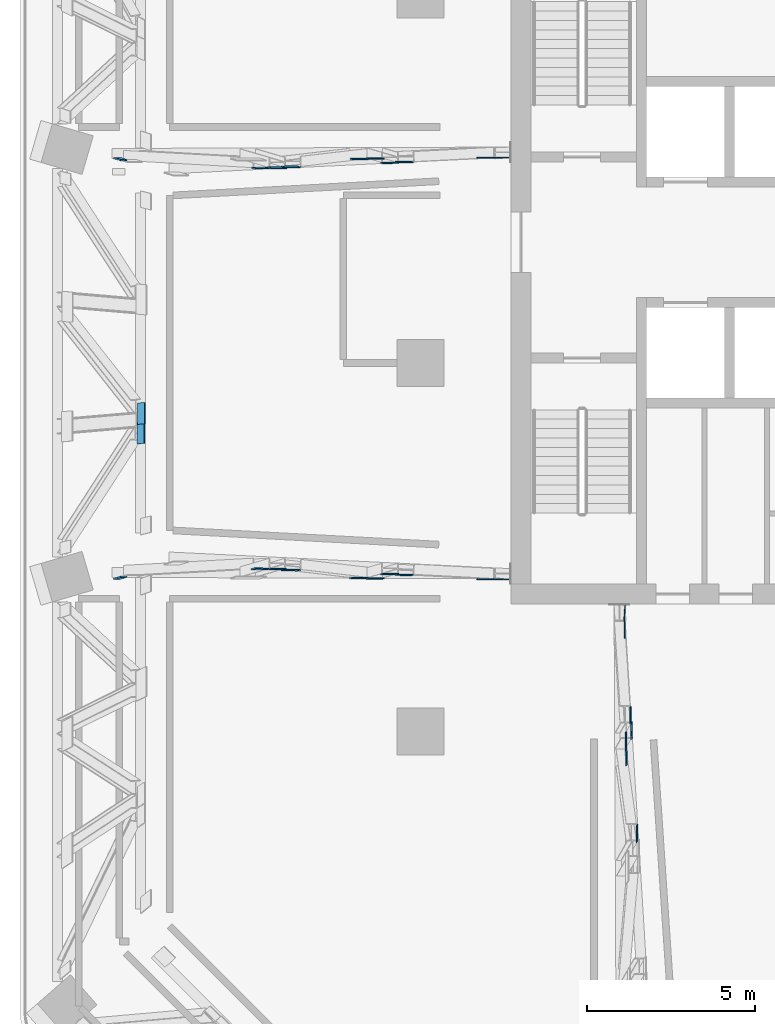
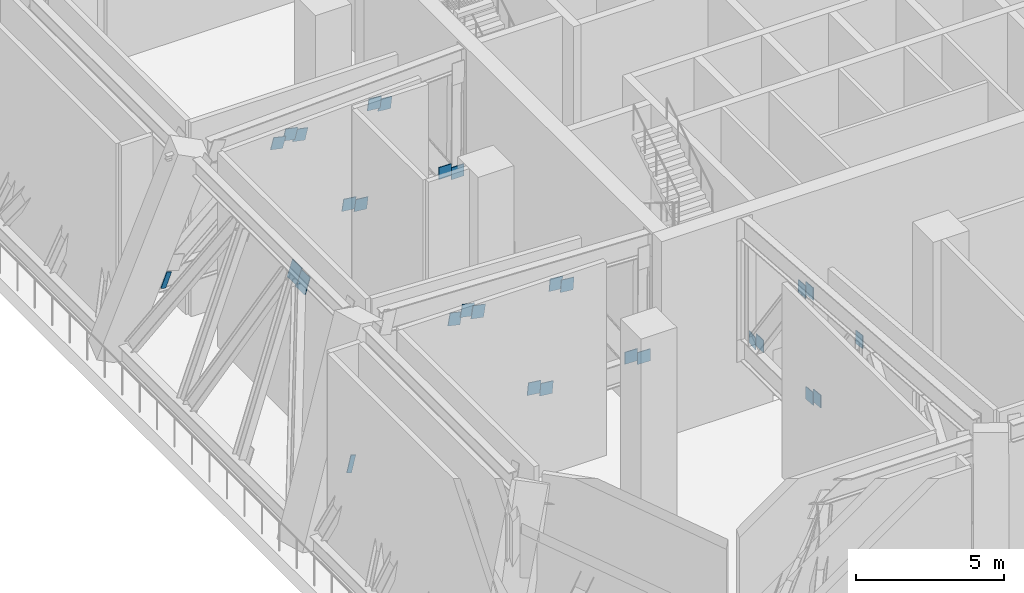
# One storey, part 14 of 24: 29 discrete accessories.
"""IFC4 building model written with IfcOpenShell, lengths in metres."""

from ifc_helpers import new_model, si_unit, direction, frame, origin, origin_2d, place, context, subcontext, project, spatial, rectangle, extrude, material, layer, layer_set, type_object, element, save


model = new_model("IFC4")

# Units and contexts
model_context = context("Model", 3, precision=1e-05, world=origin(), true_north=direction((0.0, 1.0)))
body_context = subcontext(model_context, "Body", "Model", "MODEL_VIEW")
ifc_project = project(units=[si_unit("LENGTHUNIT", "METRE"), si_unit("AREAUNIT", "SQUARE_METRE"), si_unit("VOLUMEUNIT", "CUBIC_METRE"), si_unit("PLANEANGLEUNIT", "RADIAN"), si_unit("MASSUNIT", "GRAM", prefix="KILO")], contexts=[model_context])

# Site, building, storey
site_placement = place(None, origin())
site = spatial("IfcSite", under=ifc_project, at=site_placement, CompositionType="ELEMENT")
building_placement = place(site_placement, origin())
building = spatial("IfcBuilding", under=site, at=building_placement, Name="Mopane Tessera Tower", CompositionType="ELEMENT")
storey_placement = place(building_placement, frame((0.0, 0.0, 148.60009765625)))
storey = spatial("IfcBuildingStorey", under=building, at=storey_placement, Name="L30", CompositionType="ELEMENT", Elevation=148.60009765625)

# Discrete accessories
ifc_material = material(Name="Structural steel S460", Category="steel")
ifc_layer = layer(ifc_material, 0.030029296875)
ifc_layer_set = layer_set([ifc_layer], Name="Structural steel S460")
discrete_accessory_type = type_object("IfcDiscreteAccessoryType", Name="Truss node plate 30 mm", PredefinedType="BRACKET", material=ifc_layer_set)
discrete_accessory_1_placement = place(storey_placement, frame((-14.665283203125, 6.124267578125, 2.762451171875), z_axis=(0.006906580578, -0.001973308737, 0.999974202266), x_axis=(0.009648579504, -0.99995137067, -0.002039904093)))
element("IfcDiscreteAccessory", 1, at=discrete_accessory_1_placement, inside=storey, type_object=discrete_accessory_type, Name="Truss node plate s ot L30 W1 0", PredefinedType="BRACKET", context=body_context, shape_type="SweptSolid", body=[
    extrude(rectangle(XDim=0.030029296875, YDim=0.489990234375, at=origin_2d()), origin(), (0.0, 0.0, 1.0), 0.494873046875),
])
discrete_accessory_2_placement = place(storey_placement, frame((-15.16357421875, 6.12060546875, 2.941650390625), z_axis=(0.020725686995, -0.005921624856, 0.999767663139), x_axis=(0.009537601114, -0.99993578574, -0.006120339919)))
element("IfcDiscreteAccessory", 2, at=discrete_accessory_2_placement, inside=storey, type_object=discrete_accessory_type, Name="Truss node plate s ot L30 W1 2", PredefinedType="BRACKET", context=body_context, shape_type="SweptSolid", body=[
    extrude(rectangle(XDim=0.030029296875, YDim=0.49462890625, at=origin_2d()), origin(), (0.0, 0.0, 1.0), 0.49462890625),
])
discrete_accessory_3_placement = place(storey_placement, frame((-17.60107421875, 5.99853515625, 6.663330078125), z_axis=(0.094748798485, -0.02798280577, 0.995107847304), x_axis=(-0.001871989147, -0.999608097476, -0.027931113789)))
element("IfcDiscreteAccessory", 3, at=discrete_accessory_3_placement, inside=storey, type_object=discrete_accessory_type, Name="Truss node plate s ot L30 W1 3", PredefinedType="BRACKET", context=body_context, shape_type="SweptSolid", body=[
    extrude(rectangle(XDim=0.030029296875, YDim=0.49462890625, at=origin_2d()), origin(), (0.0, 0.0, 1.0), 0.497314453125),
])
discrete_accessory_4_placement = place(storey_placement, frame((-18.47509765625, 6.1044921875, 2.762451171875), z_axis=(0.107847996433, -0.031373962599, 0.993672221679), x_axis=(0.001418597926, -0.999496047364, -0.031711809854)))
element("IfcDiscreteAccessory", 4, at=discrete_accessory_4_placement, inside=storey, type_object=discrete_accessory_type, Name="Truss node plate s ot L30 W1 4", PredefinedType="BRACKET", context=body_context, shape_type="SweptSolid", body=[
    extrude(rectangle(XDim=0.030029296875, YDim=0.49462890625, at=origin_2d()), origin(), (0.0, 0.0, 1.0), 0.498046875),
])
discrete_accessory_5_placement = place(storey_placement, frame((-18.03125, 5.974853515625, 6.842529296875), z_axis=(0.107900556375, -0.031389252764, 0.993666032802), x_axis=(0.001416920127, -0.999495559277, -0.03172726467)))
element("IfcDiscreteAccessory", 5, at=discrete_accessory_5_placement, inside=storey, type_object=discrete_accessory_type, Name="Truss node plate s ot L30 W1 5", PredefinedType="BRACKET", context=body_context, shape_type="SweptSolid", body=[
    extrude(rectangle(XDim=0.030029296875, YDim=0.49462890625, at=origin_2d()), origin(), (0.0, 0.0, 1.0), 0.497802734375),
])
discrete_accessory_6_placement = place(storey_placement, frame((-18.955078125, 6.095703125, 2.941650390625), z_axis=(0.120941716867, -0.035743908224, 0.992015863858), x_axis=(-0.003742717058, -0.999360809995, -0.035552264569)))
element("IfcDiscreteAccessory", 6, at=discrete_accessory_6_placement, inside=storey, type_object=discrete_accessory_type, Name="Truss node plate s ot L30 W1 6", PredefinedType="BRACKET", context=body_context, shape_type="SweptSolid", body=[
    extrude(rectangle(XDim=0.030029296875, YDim=0.49462890625, at=origin_2d()), origin(), (0.0, 0.0, 1.0), 0.49853515625),
])
discrete_accessory_7_placement = place(storey_placement, frame((-21.014404296875, 5.86279296875, 6.663330078125), z_axis=(0.193292704846, -0.056538116167, 0.979510781806), x_axis=(-0.007652171591, -0.998394815023, -0.056118068437)))
element("IfcDiscreteAccessory", 7, at=discrete_accessory_7_placement, inside=storey, type_object=discrete_accessory_type, Name="Truss node plate s ot L30 W1 7", PredefinedType="BRACKET", context=body_context, shape_type="SweptSolid", body=[
    extrude(rectangle(XDim=0.030029296875, YDim=0.49462890625, at=origin_2d()), origin(), (0.0, 0.0, 1.0), 0.505126953125),
])
discrete_accessory_8_placement = place(storey_placement, frame((-21.425048828125, 5.83349609375, 6.8486328125), z_axis=(0.205635521858, -0.060306571314, 0.976768728823), x_axis=(-0.009834279147, -0.998176407463, -0.059557925904)))
element("IfcDiscreteAccessory", 8, at=discrete_accessory_8_placement, inside=storey, type_object=discrete_accessory_type, Name="Truss node plate s ot L30 W1 9", PredefinedType="BRACKET", context=body_context, shape_type="SweptSolid", body=[
    extrude(rectangle(XDim=0.030029296875, YDim=0.482421875, at=origin_2d()), origin(), (0.0, 0.0, 1.0), 0.493896484375),
])
discrete_accessory_9_placement = place(storey_placement, frame((-21.90478515625, 5.828125, 6.65478515625), z_axis=(0.217736816956, -0.064040240281, 0.973904269508), x_axis=(-0.012139855861, -0.997945557303, -0.062906983388)))
element("IfcDiscreteAccessory", 9, at=discrete_accessory_9_placement, inside=storey, type_object=discrete_accessory_type, Name="Truss node plate s ot L30 W1 10", PredefinedType="BRACKET", context=body_context, shape_type="SweptSolid", body=[
    extrude(rectangle(XDim=0.030029296875, YDim=0.482421875, at=origin_2d()), origin(), (0.0, 0.0, 1.0), 0.49560546875),
])
discrete_accessory_10_placement = place(storey_placement, frame((-26.15576171875, 6.113525390625, 2.235595703125), z_axis=(0.29467748015, -0.086220447896, 0.951699121076), x_axis=(-0.022447289738, -0.996270989292, -0.083308073308)))
element("IfcDiscreteAccessory", 10, at=discrete_accessory_10_placement, inside=storey, type_object=discrete_accessory_type, Name="Truss node plate s ot L30 W1 13", PredefinedType="BRACKET", context=body_context, shape_type="SweptSolid", body=[
    extrude(rectangle(XDim=0.030029296875, YDim=0.195556640625, at=origin_2d()), origin(), (0.0, 0.0, 1.0), 0.671142578125),
])
discrete_accessory_11_placement = place(storey_placement, frame((-14.66650390625, -6.456298828125, 2.762451171875), z_axis=(0.007399881649, 0.001973301773, 0.999970673486), x_axis=(-0.027341583233, -0.999623782945, 0.002174947647)))
element("IfcDiscreteAccessory", 11, at=discrete_accessory_11_placement, inside=storey, type_object=discrete_accessory_type, Name="Truss node plate s ot L30 W2 0", PredefinedType="BRACKET", context=body_context, shape_type="SweptSolid", body=[
    extrude(rectangle(XDim=0.030029296875, YDim=0.489990234375, at=origin_2d()), origin(), (0.0, 0.0, 1.0), 0.494873046875),
])
discrete_accessory_12_placement = place(storey_placement, frame((-15.164794921875, -6.45263671875, 2.941650390625), z_axis=(0.020725686995, 0.005921624856, 0.999767663139), x_axis=(-0.009537601114, -0.99993578574, 0.006120339919)))
element("IfcDiscreteAccessory", 12, at=discrete_accessory_12_placement, inside=storey, type_object=discrete_accessory_type, Name="Truss node plate s ot L30 W2 2", PredefinedType="BRACKET", context=body_context, shape_type="SweptSolid", body=[
    extrude(rectangle(XDim=0.030029296875, YDim=0.49462890625, at=origin_2d()), origin(), (0.0, 0.0, 1.0), 0.49462890625),
])
discrete_accessory_13_placement = place(storey_placement, frame((-17.602294921875, -6.330322265625, 6.663330078125), z_axis=(0.094750088706, 0.027492253718, 0.995121397959), x_axis=(-0.002902171275, -0.999606715619, 0.027892498831)))
element("IfcDiscreteAccessory", 13, at=discrete_accessory_13_placement, inside=storey, type_object=discrete_accessory_type, Name="Truss node plate s ot L30 W2 3", PredefinedType="BRACKET", context=body_context, shape_type="SweptSolid", body=[
    extrude(rectangle(XDim=0.030029296875, YDim=0.49462890625, at=origin_2d()), origin(), (0.0, 0.0, 1.0), 0.497314453125),
])
discrete_accessory_14_placement = place(storey_placement, frame((-18.476318359375, -6.4365234375, 2.762451171875), z_axis=(0.107847996433, 0.031373962599, 0.993672221679), x_axis=(-0.001418597926, -0.999496047364, 0.031711809854)))
element("IfcDiscreteAccessory", 14, at=discrete_accessory_14_placement, inside=storey, type_object=discrete_accessory_type, Name="Truss node plate s ot L30 W2 4", PredefinedType="BRACKET", context=body_context, shape_type="SweptSolid", body=[
    extrude(rectangle(XDim=0.030029296875, YDim=0.49462890625, at=origin_2d()), origin(), (0.0, 0.0, 1.0), 0.498046875),
])
discrete_accessory_15_placement = place(storey_placement, frame((-18.032470703125, -6.306884765625, 6.842529296875), z_axis=(0.107898882299, 0.031879215225, 0.99365061608), x_axis=(0.00277081108, -0.999491501214, 0.03176573008)))
element("IfcDiscreteAccessory", 15, at=discrete_accessory_15_placement, inside=storey, type_object=discrete_accessory_type, Name="Truss node plate s ot L30 W2 5", PredefinedType="BRACKET", context=body_context, shape_type="SweptSolid", body=[
    extrude(rectangle(XDim=0.030029296875, YDim=0.49462890625, at=origin_2d()), origin(), (0.0, 0.0, 1.0), 0.497802734375),
])
discrete_accessory_16_placement = place(storey_placement, frame((-18.956298828125, -6.427734375, 2.941650390625), z_axis=(0.120941716867, 0.035743908224, 0.992015863858), x_axis=(0.003742717058, -0.999360809995, 0.035552264569)))
element("IfcDiscreteAccessory", 16, at=discrete_accessory_16_placement, inside=storey, type_object=discrete_accessory_type, Name="Truss node plate s ot L30 W2 6", PredefinedType="BRACKET", context=body_context, shape_type="SweptSolid", body=[
    extrude(rectangle(XDim=0.030029296875, YDim=0.49462890625, at=origin_2d()), origin(), (0.0, 0.0, 1.0), 0.49853515625),
])
discrete_accessory_17_placement = place(storey_placement, frame((-21.015625, -6.19482421875, 6.663330078125), z_axis=(0.193292704846, 0.056538116167, 0.979510781806), x_axis=(0.007652171591, -0.998394815023, 0.056118068437)))
element("IfcDiscreteAccessory", 17, at=discrete_accessory_17_placement, inside=storey, type_object=discrete_accessory_type, Name="Truss node plate s ot L30 W2 7", PredefinedType="BRACKET", context=body_context, shape_type="SweptSolid", body=[
    extrude(rectangle(XDim=0.030029296875, YDim=0.49462890625, at=origin_2d()), origin(), (0.0, 0.0, 1.0), 0.505126953125),
])
discrete_accessory_18_placement = place(storey_placement, frame((-21.42626953125, -6.16552734375, 6.8486328125), z_axis=(0.205635521858, 0.060306571314, 0.976768728823), x_axis=(0.009834279147, -0.998176407463, 0.059557925904)))
element("IfcDiscreteAccessory", 18, at=discrete_accessory_18_placement, inside=storey, type_object=discrete_accessory_type, Name="Truss node plate s ot L30 W2 9", PredefinedType="BRACKET", context=body_context, shape_type="SweptSolid", body=[
    extrude(rectangle(XDim=0.030029296875, YDim=0.482421875, at=origin_2d()), origin(), (0.0, 0.0, 1.0), 0.493896484375),
])
discrete_accessory_19_placement = place(storey_placement, frame((-21.90576171875, -6.159912109375, 6.65478515625), z_axis=(0.217274308546, 0.063556430391, 0.974039247157), x_axis=(0.010633125372, -0.997972869158, 0.062746227533)))
element("IfcDiscreteAccessory", 19, at=discrete_accessory_19_placement, inside=storey, type_object=discrete_accessory_type, Name="Truss node plate s ot L30 W2 10", PredefinedType="BRACKET", context=body_context, shape_type="SweptSolid", body=[
    extrude(rectangle(XDim=0.030029296875, YDim=0.482421875, at=origin_2d()), origin(), (0.0, 0.0, 1.0), 0.49560546875),
])
discrete_accessory_20_placement = place(storey_placement, frame((-26.156982421875, -6.4453125, 2.235595703125), z_axis=(0.294686704214, 0.085859336043, 0.951728911389), x_axis=(0.021306168284, -0.996298141493, 0.083283014175)))
element("IfcDiscreteAccessory", 20, at=discrete_accessory_20_placement, inside=storey, type_object=discrete_accessory_type, Name="Truss node plate s ot L30 W2 13", PredefinedType="BRACKET", context=body_context, shape_type="SweptSolid", body=[
    extrude(rectangle(XDim=0.030029296875, YDim=0.195556640625, at=origin_2d()), origin(), (0.0, 0.0, 1.0), 0.671142578125),
])
discrete_accessory_21_placement = place(storey_placement, frame((-11.0009765625, -7.46484375, 2.7626953125), z_axis=(0.002962920694, 0.004444381041, 0.999985734187), x_axis=(0.997862563479, -0.065293142937, -0.002666438071)))
element("IfcDiscreteAccessory", 21, at=discrete_accessory_21_placement, inside=storey, type_object=discrete_accessory_type, Name="Truss node plate s ot L30 S1 0", PredefinedType="BRACKET", context=body_context, shape_type="SweptSolid", body=[
    extrude(rectangle(XDim=0.030029296875, YDim=0.489990234375, at=origin_2d()), origin(), (0.0, 0.0, 1.0), 0.494384765625),
])
discrete_accessory_22_placement = place(storey_placement, frame((-10.99609375, -7.965087890625, 2.94189453125), z_axis=(0.007896334367, 0.013818585143, 0.999873339283), x_axis=(0.999962597538, 0.003419312394, -0.007944295315)))
element("IfcDiscreteAccessory", 22, at=discrete_accessory_22_placement, inside=storey, type_object=discrete_accessory_type, Name="Truss node plate s ot L30 S1 2", PredefinedType="BRACKET", context=body_context, shape_type="SweptSolid", body=[
    extrude(rectangle(XDim=0.030029296875, YDim=0.49462890625, at=origin_2d()), origin(), (0.0, 0.0, 1.0), 0.49462890625),
])
for number, where, z_axis, x_axis, name in (
    (23, (-10.83447265625, -10.529052734375, 6.663330078125), (0.036916432179, 0.064480701539, 0.997235887924), (0.99931470002, 0.000317407352, -0.037013910595), "Truss node plate s ot L30 S1 3"),
    (24, (-10.974853515625, -11.2841796875, 2.7626953125), (0.041823993495, 0.073807047345, 0.996395139154), (0.999099659314, 0.004012320837, -0.042234725515), "Truss node plate s ot L30 S1 4"),
):
    element("IfcDiscreteAccessory", number, at=place(storey_placement, frame(where, z_axis=z_axis, x_axis=x_axis)), inside=storey, type_object=discrete_accessory_type, Name=name, PredefinedType="BRACKET", context=body_context, shape_type="SweptSolid", body=[
        extrude(rectangle(XDim=0.030029296875, YDim=0.49462890625, at=origin_2d()), origin(), (0.0, 0.0, 1.0), 0.49609375),
    ])
discrete_accessory_23_placement = place(storey_placement, frame((-10.80322265625, -10.983154296875, 6.842529296875), z_axis=(0.041803498323, 0.073770879394, 0.996398677679), x_axis=(0.99910052784, 0.004013853529, -0.04221402907)))
element("IfcDiscreteAccessory", 25, at=discrete_accessory_23_placement, inside=storey, type_object=discrete_accessory_type, Name="Truss node plate s ot L30 S1 5", PredefinedType="BRACKET", context=body_context, shape_type="SweptSolid", body=[
    extrude(rectangle(XDim=0.030029296875, YDim=0.49462890625, at=origin_2d()), origin(), (0.0, 0.0, 1.0), 0.496337890625),
])
discrete_accessory_24_placement = place(storey_placement, frame((-10.962890625, -11.77197265625, 2.94189453125), z_axis=(0.046679101716, 0.082548306193, 0.995493263969), x_axis=(0.998877931126, 0.004120243452, -0.04717946908)))
element("IfcDiscreteAccessory", 26, at=discrete_accessory_24_placement, inside=storey, type_object=discrete_accessory_type, Name="Truss node plate s ot L30 S1 6", PredefinedType="BRACKET", context=body_context, shape_type="SweptSolid", body=[
    extrude(rectangle(XDim=0.030029296875, YDim=0.49462890625, at=origin_2d()), origin(), (0.0, 0.0, 1.0), 0.496826171875),
])
discrete_accessory_25_placement = place(storey_placement, frame((-10.655029296875, -14.0791015625, 6.663330078125), z_axis=(0.075127913421, 0.132205613878, 0.988371120725), x_axis=(0.99715666389, -0.004131789805, -0.075243046003)))
element("IfcDiscreteAccessory", 27, at=discrete_accessory_25_placement, inside=storey, type_object=discrete_accessory_type, Name="Truss node plate s ot L30 S1 7", PredefinedType="BRACKET", context=body_context, shape_type="SweptSolid", body=[
    extrude(rectangle(XDim=0.030029296875, YDim=0.49462890625, at=origin_2d()), origin(), (0.0, 0.0, 1.0), 0.50048828125),
])
for number, where, z_axis, x_axis, name in (
    (28, (-25.531494140625, -1.515869140625, 6.9306640625), (0.321332405206, 0.024578856641, 0.94664743446), (0.946966431838, -0.008076733838, -0.321230981292), "Truss node plate s bt L30 W1-W2 4"),
    (29, (-25.54541015625, -2.10107421875, 6.889892578125), (0.321244028213, 0.03396731007, 0.946387075241), (0.946996440081, -0.011385704952, -0.321042221828), "Truss node plate s bt L30 W1-W2 6"),
):
    element("IfcDiscreteAccessory", number, at=place(storey_placement, frame(where, z_axis=z_axis, x_axis=x_axis)), inside=storey, type_object=discrete_accessory_type, Name=name, PredefinedType="BRACKET", context=body_context, shape_type="SweptSolid", body=[
        extrude(rectangle(XDim=0.030029296875, YDim=0.639404296875, at=origin_2d()), origin(), (0.0, 0.0, 1.0), 0.675537109375),
    ])

save(model, "model.ifc")
